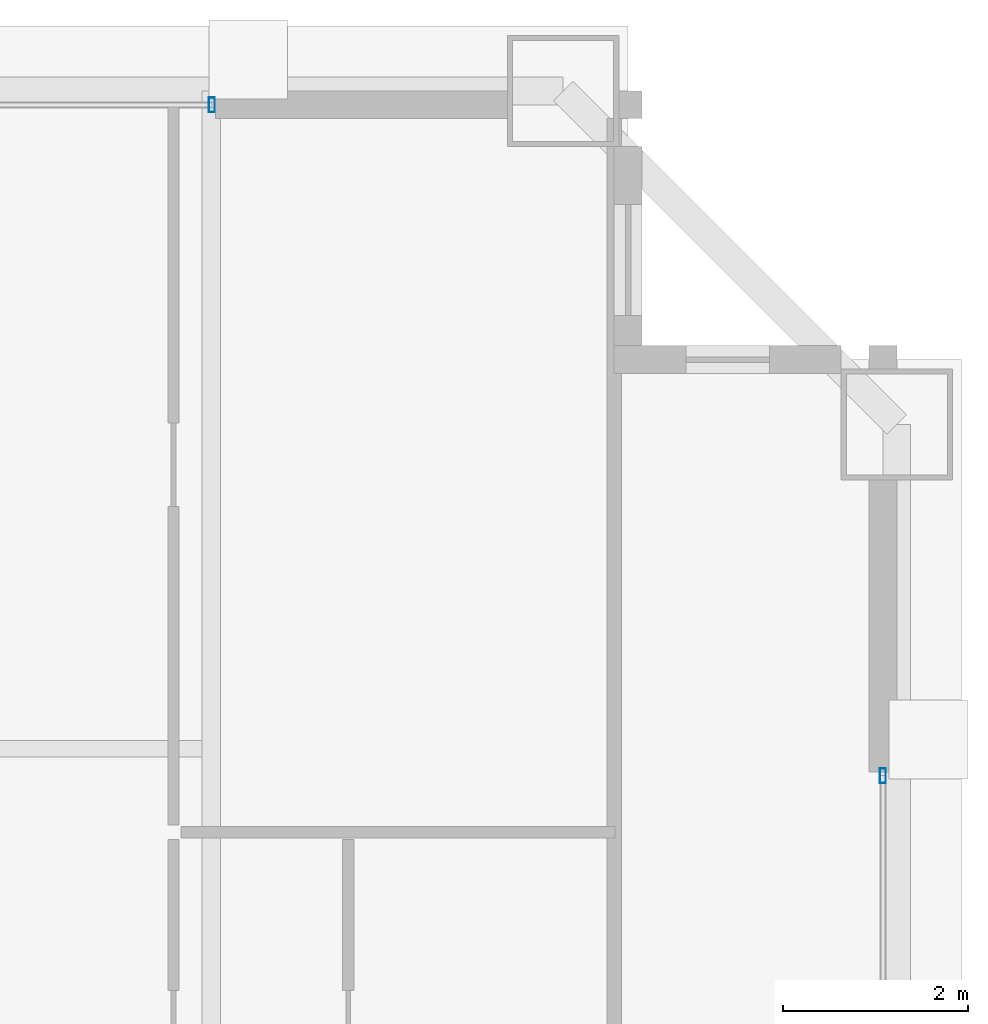
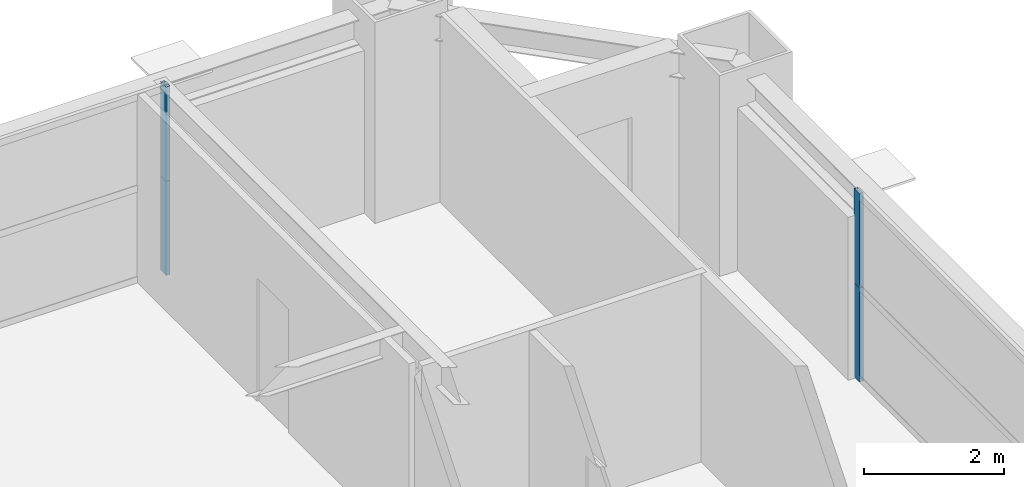
# One storey, part 30 of 37: 4 members, 2 elements without a shape of their own.
"""IFC4 building model written with IfcOpenShell, lengths in metres."""

from ifc_helpers import new_model, si_unit, direction, frame, origin, origin_2d, place, context, subcontext, project, spatial, hollow_rectangle, extrude, source, transform, mapped, material, layer, layer_set, material_profile, profile_set, type_object, element, aggregate, save


model = new_model("IFC4")

# Units and contexts
model_context = context("Model", 3, precision=1e-05, world=origin(), true_north=direction((0.0, 1.0)))
body_context = subcontext(model_context, "Body", "Model", "MODEL_VIEW")
ifc_project = project(units=[si_unit("LENGTHUNIT", "METRE"), si_unit("AREAUNIT", "SQUARE_METRE"), si_unit("VOLUMEUNIT", "CUBIC_METRE"), si_unit("PLANEANGLEUNIT", "RADIAN"), si_unit("MASSUNIT", "GRAM", prefix="KILO"), si_unit("THERMODYNAMICTEMPERATUREUNIT", "KELVIN"), si_unit("POWERUNIT", "WATT")], contexts=[model_context])

# Site, building, storey
site_placement = place(None, origin())
site = spatial("IfcSite", under=ifc_project, at=site_placement, CompositionType="ELEMENT")
building_placement = place(site_placement, origin())
building = spatial("IfcBuilding", under=site, at=building_placement, Name="Yuzanri Waterfront Tower", CompositionType="ELEMENT")
storey_placement = place(building_placement, frame((0.0, 0.0, 245.10009765625)))
storey = spatial("IfcBuildingStorey", under=building, at=storey_placement, Name="L65", CompositionType="ELEMENT", Elevation=245.10009765625)

# Curtain wall, members
ifc_material_1 = material(Name="Anodized Architectural Bronze", Category="metal")
ifc_layer = layer(ifc_material_1, 0.159912109375)
ifc_layer_set = layer_set([ifc_layer], Name="Anodized Architectural Bronze")
curtain_wall_type = type_object("IfcCurtainWallType", Name="Anodized Bronze Mid-Rise Residential Acoustic Unitized Curtain Wall 7200", PredefinedType="NOTDEFINED", material=ifc_layer_set)
curtain_wall_1_placement = place(storey_placement, origin())
curtain_wall_1 = element("IfcCurtainWall", 1, at=curtain_wall_1_placement, inside=storey, type_object=curtain_wall_type, Name="L65 Curtain Wall CW-L65-NR", PredefinedType="NOTDEFINED")
ifc_material_2 = material(Name="Anodized Architectural Bronze", Category="metal")
ifc_material_profile = material_profile(ifc_material_2, hollow_rectangle(XDim=0.06494140625, YDim=0.159912109375, WallThickness=0.00341796875, at=origin_2d()), Name="CWM 65x160")
ifc_profile_set = profile_set([ifc_material_profile], Name="Anodized Architectural Bronze")
member_type = type_object("IfcMemberType", Name="Anodized Bronze Upper-Zone Curtain-Wall Mullion 65x160", PredefinedType="MULLION", material=ifc_profile_set)
shared_shape = source(origin(), body_context, "Body", "SweptSolid", [
    extrude(hollow_rectangle(XDim=0.06494140625, YDim=0.159912109375, WallThickness=0.00341796875, at=origin_2d()), origin(), (0.0, 0.0, 1.0), 1.637939453125),
])
member_1_placement = place(storey_placement, frame((50.2099609375, 46.25, 0.0), z_axis=(0.0, 0.0, 1.0), x_axis=(1.0, 0.0, 0.0)))
member_1 = element("IfcMember", 2, at=member_1_placement, type_object=member_type, Name="CW-L65-NR Lower Mullion 02", PredefinedType="MULLION", context=body_context, shape_type="MappedRepresentation", body=[
    mapped(shared_shape, transform((0.0, 0.0, 0.0), scale=1.0)),
])
member_2_placement = place(storey_placement, frame((50.2099609375, 46.25, 1.641845703125), z_axis=(0.0, 0.0, 1.0), x_axis=(1.0, 0.0, 0.0)))
member_2 = element("IfcMember", 3, at=member_2_placement, type_object=member_type, Name="CW-L65-NR Upper Mullion 02", PredefinedType="MULLION", context=body_context, shape_type="MappedRepresentation", body=[
    mapped(shared_shape, transform((0.0, 0.0, 0.0), scale=1.0)),
])
aggregate(curtain_wall_1, [member_1, member_2])

curtain_wall_2_placement = place(storey_placement, origin())
curtain_wall_2 = element("IfcCurtainWall", 4, at=curtain_wall_2_placement, inside=storey, type_object=curtain_wall_type, Name="L65 Curtain Wall CW-L65-ER", PredefinedType="NOTDEFINED")
member_3_placement = place(storey_placement, frame((57.449951171875, 39.010009765625, 0.0), z_axis=(0.0, 0.0, 1.0), x_axis=(1.0, 0.0, 0.0)))
member_3 = element("IfcMember", 5, at=member_3_placement, type_object=member_type, Name="CW-L65-ER Lower Mullion 02", PredefinedType="MULLION", context=body_context, shape_type="MappedRepresentation", body=[
    mapped(shared_shape, transform((0.0, 0.0, 0.0), scale=1.0)),
])
member_4_placement = place(storey_placement, frame((57.449951171875, 39.010009765625, 1.641845703125), z_axis=(0.0, 0.0, 1.0), x_axis=(1.0, 0.0, 0.0)))
member_4 = element("IfcMember", 6, at=member_4_placement, type_object=member_type, Name="CW-L65-ER Upper Mullion 02", PredefinedType="MULLION", context=body_context, shape_type="MappedRepresentation", body=[
    mapped(shared_shape, transform((0.0, 0.0, 0.0), scale=1.0)),
])
aggregate(curtain_wall_2, [member_3, member_4])

save(model, "model.ifc")
